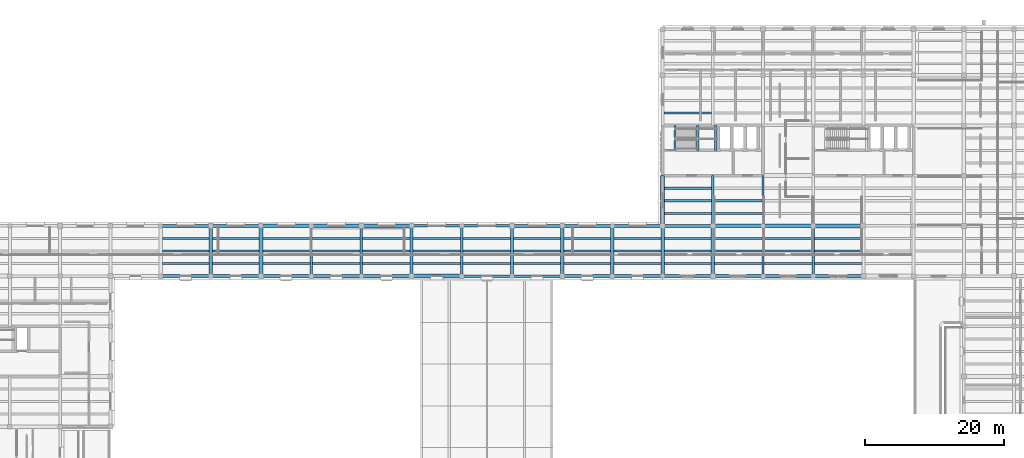
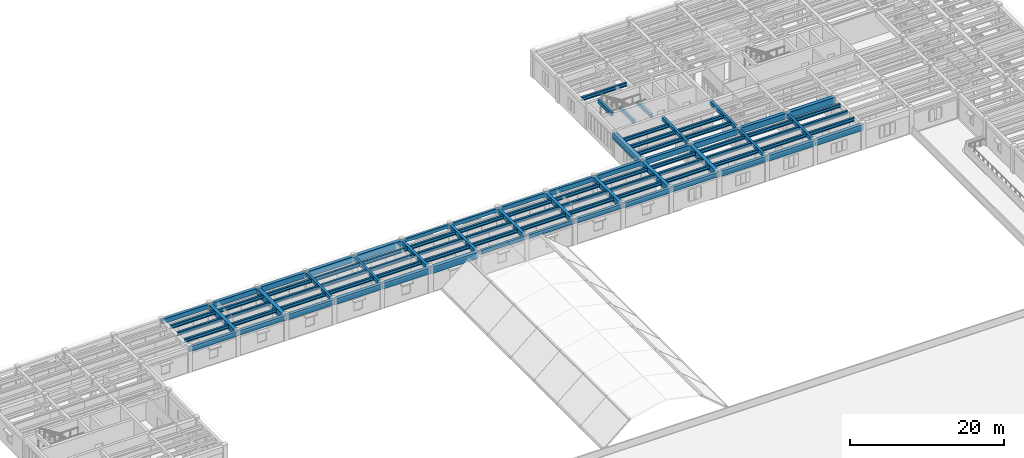
# One storey, part 4 of 40: 95 beams.
"""IFC4 building model written with IfcOpenShell, lengths in metres."""

from ifc_helpers import new_model, si_unit, direction, frame, origin, origin_2d, place, context, subcontext, project, spatial, rectangle, i_section, extrude, material, material_profile, profile_set, type_object, element, save


model = new_model("IFC4")

# Units and contexts
model_context = context("Model", 3, precision=1e-05, world=origin(), true_north=direction((0.0, 1.0)))
body_context = subcontext(model_context, "Body", "Model", "MODEL_VIEW")
ifc_project = project(units=[si_unit("LENGTHUNIT", "METRE"), si_unit("AREAUNIT", "SQUARE_METRE"), si_unit("VOLUMEUNIT", "CUBIC_METRE"), si_unit("PLANEANGLEUNIT", "RADIAN"), si_unit("MASSUNIT", "GRAM", prefix="KILO")], contexts=[model_context])

# Site, building, storey
site_placement = place(None, origin())
site = spatial("IfcSite", under=ifc_project, at=site_placement, CompositionType="ELEMENT")
building_placement = place(site_placement, origin())
building = spatial("IfcBuilding", under=site, at=building_placement, Name="Mithqara Police Headquarters", CompositionType="ELEMENT")
storey_placement = place(building_placement, frame((0.0, 0.0, 13.800048828125)))
storey = spatial("IfcBuildingStorey", under=building, at=storey_placement, Name="L03", CompositionType="ELEMENT", Elevation=13.800048828125)

# Beams
ifc_material_1 = material(Name="Steel S355JR", Category="steel")
ifc_material_profile_1 = material_profile(ifc_material_1, i_section(OverallWidth=0.300048828125, OverallDepth=0.550048828125, WebThickness=0.014892578125, FlangeThickness=0.029052734375, FilletRadius=0.027099609375, at=origin_2d()), Name="HEB 550")
ifc_profile_set_1 = profile_set([ifc_material_profile_1], Name="Steel S355JR")
beam_type_1 = type_object("IfcBeamType", Name="BEAM HEB550", PredefinedType="BEAM", material=ifc_profile_set_1)
for number, where, z_axis, x_axis, name in (
    (1, (36.85009765625, 80.39990234375, 3.6650390625), (1.0, 0.0, 0.0), (0.0, 1.0, 0.0), "L03 Composite Steel Joist 6-7/M.1"),
    (2, (36.85009765625, 82.199951171875, 3.6650390625), (1.0, 0.0, 0.0), (0.0, 1.0, 0.0), "L03 Composite Steel Joist 6-7/M.2"),
    (3, (36.85009765625, 84.0, 3.6650390625), (1.0, 0.0, 0.0), (0.0, 1.0, 0.0), "L03 Composite Steel Joist 6-7/M.3"),
):
    element("IfcBeam", number, at=place(storey_placement, frame(where, z_axis=z_axis, x_axis=x_axis)), inside=storey, type_object=beam_type_1, Name=name, PredefinedType="BEAM", context=body_context, shape_type="SweptSolid", body=[
        extrude(i_section(OverallWidth=0.300048828125, OverallDepth=0.550048828125, WebThickness=0.014892578125, FlangeThickness=0.029052734375, FilletRadius=0.027099609375, at=origin_2d()), origin(), (0.0, 0.0, 1.0), 6.699951171875),
    ])
for number, where, z_axis, x_axis, name in (
    (4, (44.050048828125, 80.39990234375, 3.6650390625), (1.0, 0.0, 0.0), (0.0, 1.0, 0.0), "L03 Composite Steel Joist 7-8/M.1"),
    (5, (44.050048828125, 82.199951171875, 3.6650390625), (1.0, 0.0, 0.0), (0.0, 1.0, 0.0), "L03 Composite Steel Joist 7-8/M.2"),
    (6, (44.050048828125, 84.0, 3.6650390625), (1.0, 0.0, 0.0), (0.0, 1.0, 0.0), "L03 Composite Steel Joist 7-8/M.3"),
):
    element("IfcBeam", number, at=place(storey_placement, frame(where, z_axis=z_axis, x_axis=x_axis)), inside=storey, type_object=beam_type_1, Name=name, PredefinedType="BEAM", context=body_context, shape_type="SweptSolid", body=[
        extrude(i_section(OverallWidth=0.300048828125, OverallDepth=0.550048828125, WebThickness=0.014892578125, FlangeThickness=0.029052734375, FilletRadius=0.027099609375, at=origin_2d()), origin(), (0.0, 0.0, 1.0), 6.675048828125),
    ])
for number, where, z_axis, x_axis, name in (
    (7, (51.27490234375, 80.39990234375, 3.6650390625), (1.0, 0.0, 0.0), (0.0, 1.0, 0.0), "L03 Composite Steel Joist 8-9/M.1"),
    (8, (51.27490234375, 82.199951171875, 3.6650390625), (1.0, 0.0, 0.0), (0.0, 1.0, 0.0), "L03 Composite Steel Joist 8-9/M.2"),
    (9, (51.27490234375, 84.0, 3.6650390625), (1.0, 0.0, 0.0), (0.0, 1.0, 0.0), "L03 Composite Steel Joist 8-9/M.3"),
):
    element("IfcBeam", number, at=place(storey_placement, frame(where, z_axis=z_axis, x_axis=x_axis)), inside=storey, type_object=beam_type_1, Name=name, PredefinedType="BEAM", context=body_context, shape_type="SweptSolid", body=[
        extrude(i_section(OverallWidth=0.300048828125, OverallDepth=0.550048828125, WebThickness=0.014892578125, FlangeThickness=0.029052734375, FilletRadius=0.027099609375, at=origin_2d()), origin(), (0.0, 0.0, 1.0), 6.75),
    ])
for number, where, z_axis, x_axis, name in (
    (10, (58.375, 80.39990234375, 3.6650390625), (1.0, 0.0, 0.0), (0.0, 1.0, 0.0), "L03 Composite Steel Joist 9-10/M.1"),
    (11, (58.375, 82.199951171875, 3.6650390625), (1.0, 0.0, 0.0), (0.0, 1.0, 0.0), "L03 Composite Steel Joist 9-10/M.2"),
    (12, (58.375, 84.0, 3.6650390625), (1.0, 0.0, 0.0), (0.0, 1.0, 0.0), "L03 Composite Steel Joist 9-10/M.3"),
):
    element("IfcBeam", number, at=place(storey_placement, frame(where, z_axis=z_axis, x_axis=x_axis)), inside=storey, type_object=beam_type_1, Name=name, PredefinedType="BEAM", context=body_context, shape_type="SweptSolid", body=[
        extrude(i_section(OverallWidth=0.300048828125, OverallDepth=0.550048828125, WebThickness=0.014892578125, FlangeThickness=0.029052734375, FilletRadius=0.027099609375, at=origin_2d()), origin(), (0.0, 0.0, 1.0), 6.85009765625),
    ])
for number, where, z_axis, x_axis, name in (
    (13, (65.574951171875, 80.39990234375, 3.6650390625), (1.0, 0.0, 0.0), (0.0, 1.0, 0.0), "L03 Composite Steel Joist 10-11/M.1"),
    (14, (65.574951171875, 82.199951171875, 3.6650390625), (1.0, 0.0, 0.0), (0.0, 1.0, 0.0), "L03 Composite Steel Joist 10-11/M.2"),
    (15, (65.574951171875, 84.0, 3.6650390625), (1.0, 0.0, 0.0), (0.0, 1.0, 0.0), "L03 Composite Steel Joist 10-11/M.3"),
):
    element("IfcBeam", number, at=place(storey_placement, frame(where, z_axis=z_axis, x_axis=x_axis)), inside=storey, type_object=beam_type_1, Name=name, PredefinedType="BEAM", context=body_context, shape_type="SweptSolid", body=[
        extrude(i_section(OverallWidth=0.300048828125, OverallDepth=0.550048828125, WebThickness=0.014892578125, FlangeThickness=0.029052734375, FilletRadius=0.027099609375, at=origin_2d()), origin(), (0.0, 0.0, 1.0), 6.824951171875),
    ])
for number, where, z_axis, x_axis, name in (
    (16, (72.800048828125, 80.39990234375, 3.6650390625), (1.0, 0.0, 0.0), (0.0, 1.0, 0.0), "L03 Composite Steel Joist 11-12/M.1"),
    (17, (72.800048828125, 82.199951171875, 3.6650390625), (1.0, 0.0, 0.0), (0.0, 1.0, 0.0), "L03 Composite Steel Joist 11-12/M.2"),
    (18, (72.800048828125, 84.0, 3.6650390625), (1.0, 0.0, 0.0), (0.0, 1.0, 0.0), "L03 Composite Steel Joist 11-12/M.3"),
):
    element("IfcBeam", number, at=place(storey_placement, frame(where, z_axis=z_axis, x_axis=x_axis)), inside=storey, type_object=beam_type_1, Name=name, PredefinedType="BEAM", context=body_context, shape_type="SweptSolid", body=[
        extrude(i_section(OverallWidth=0.300048828125, OverallDepth=0.550048828125, WebThickness=0.014892578125, FlangeThickness=0.029052734375, FilletRadius=0.027099609375, at=origin_2d()), origin(), (0.0, 0.0, 1.0), 6.800048828125),
    ])
for number, where, z_axis, x_axis, name in (
    (19, (80.0, 80.39990234375, 3.6650390625), (1.0, 0.0, 0.0), (0.0, 1.0, 0.0), "L03 Composite Steel Joist 12-13/M.1"),
    (20, (80.0, 82.199951171875, 3.6650390625), (1.0, 0.0, 0.0), (0.0, 1.0, 0.0), "L03 Composite Steel Joist 12-13/M.2"),
    (21, (80.0, 84.0, 3.6650390625), (1.0, 0.0, 0.0), (0.0, 1.0, 0.0), "L03 Composite Steel Joist 12-13/M.3"),
):
    element("IfcBeam", number, at=place(storey_placement, frame(where, z_axis=z_axis, x_axis=x_axis)), inside=storey, type_object=beam_type_1, Name=name, PredefinedType="BEAM", context=body_context, shape_type="SweptSolid", body=[
        extrude(i_section(OverallWidth=0.300048828125, OverallDepth=0.550048828125, WebThickness=0.014892578125, FlangeThickness=0.029052734375, FilletRadius=0.027099609375, at=origin_2d()), origin(), (0.0, 0.0, 1.0), 6.77490234375),
    ])
for number, where, z_axis, x_axis, name in (
    (22, (87.22509765625, 80.39990234375, 3.6650390625), (1.0, 0.0, 0.0), (0.0, 1.0, 0.0), "L03 Composite Steel Joist 13-14/M.1"),
    (23, (87.22509765625, 82.199951171875, 3.6650390625), (1.0, 0.0, 0.0), (0.0, 1.0, 0.0), "L03 Composite Steel Joist 13-14/M.2"),
    (24, (87.22509765625, 84.0, 3.6650390625), (1.0, 0.0, 0.0), (0.0, 1.0, 0.0), "L03 Composite Steel Joist 13-14/M.3"),
):
    element("IfcBeam", number, at=place(storey_placement, frame(where, z_axis=z_axis, x_axis=x_axis)), inside=storey, type_object=beam_type_1, Name=name, PredefinedType="BEAM", context=body_context, shape_type="SweptSolid", body=[
        extrude(i_section(OverallWidth=0.300048828125, OverallDepth=0.550048828125, WebThickness=0.014892578125, FlangeThickness=0.029052734375, FilletRadius=0.027099609375, at=origin_2d()), origin(), (0.0, 0.0, 1.0), 6.75),
    ])
for number, where, z_axis, x_axis, name in (
    (25, (94.425048828125, 80.39990234375, 3.6650390625), (1.0, 0.0, 0.0), (0.0, 1.0, 0.0), "L03 Composite Steel Joist 14-15/M.1"),
    (26, (94.425048828125, 82.199951171875, 3.6650390625), (1.0, 0.0, 0.0), (0.0, 1.0, 0.0), "L03 Composite Steel Joist 14-15/M.2"),
    (27, (94.425048828125, 84.0, 3.6650390625), (1.0, 0.0, 0.0), (0.0, 1.0, 0.0), "L03 Composite Steel Joist 14-15/M.3"),
):
    element("IfcBeam", number, at=place(storey_placement, frame(where, z_axis=z_axis, x_axis=x_axis)), inside=storey, type_object=beam_type_1, Name=name, PredefinedType="BEAM", context=body_context, shape_type="SweptSolid", body=[
        extrude(i_section(OverallWidth=0.300048828125, OverallDepth=0.550048828125, WebThickness=0.014892578125, FlangeThickness=0.029052734375, FilletRadius=0.027099609375, at=origin_2d()), origin(), (0.0, 0.0, 1.0), 6.724853515625),
    ])
for number, where, z_axis, x_axis, name in (
    (28, (101.64990234375, 80.39990234375, 3.6650390625), (1.0, 0.0, 0.0), (0.0, 1.0, 0.0), "L03 Composite Steel Joist 15-16/M.1"),
    (29, (101.64990234375, 82.199951171875, 3.6650390625), (1.0, 0.0, 0.0), (0.0, 1.0, 0.0), "L03 Composite Steel Joist 15-16/M.2"),
    (30, (101.64990234375, 84.0, 3.6650390625), (1.0, 0.0, 0.0), (0.0, 1.0, 0.0), "L03 Composite Steel Joist 15-16/M.3"),
):
    element("IfcBeam", number, at=place(storey_placement, frame(where, z_axis=z_axis, x_axis=x_axis)), inside=storey, type_object=beam_type_1, Name=name, PredefinedType="BEAM", context=body_context, shape_type="SweptSolid", body=[
        extrude(i_section(OverallWidth=0.300048828125, OverallDepth=0.550048828125, WebThickness=0.014892578125, FlangeThickness=0.029052734375, FilletRadius=0.027099609375, at=origin_2d()), origin(), (0.0, 0.0, 1.0), 6.7001953125),
    ])
for number, where, z_axis, x_axis, name in (
    (31, (108.85009765625, 80.39990234375, 3.6650390625), (1.0, 0.0, 0.0), (0.0, 1.0, 0.0), "L03 Composite Steel Joist 16-17/M.1"),
    (32, (108.85009765625, 82.199951171875, 3.6650390625), (1.0, 0.0, 0.0), (0.0, 1.0, 0.0), "L03 Composite Steel Joist 16-17/M.2"),
    (33, (108.85009765625, 84.0, 3.6650390625), (1.0, 0.0, 0.0), (0.0, 1.0, 0.0), "L03 Composite Steel Joist 16-17/M.3"),
):
    element("IfcBeam", number, at=place(storey_placement, frame(where, z_axis=z_axis, x_axis=x_axis)), inside=storey, type_object=beam_type_1, Name=name, PredefinedType="BEAM", context=body_context, shape_type="SweptSolid", body=[
        extrude(i_section(OverallWidth=0.300048828125, OverallDepth=0.550048828125, WebThickness=0.014892578125, FlangeThickness=0.029052734375, FilletRadius=0.027099609375, at=origin_2d()), origin(), (0.0, 0.0, 1.0), 6.6748046875),
    ])
for number, where, z_axis, x_axis, name in (
    (34, (108.875, 87.60009765625, 3.6650390625), (1.0, 0.0, 0.0), (0.0, 1.0, 0.0), "L03 Composite Steel Joist 16-17/N.1"),
    (35, (108.875, 89.39990234375, 3.6650390625), (1.0, 0.0, 0.0), (0.0, 1.0, 0.0), "L03 Composite Steel Joist 16-17/N.2"),
    (36, (108.875, 91.199951171875, 3.6650390625), (1.0, 0.0, 0.0), (0.0, 1.0, 0.0), "L03 Composite Steel Joist 16-17/N.3"),
):
    element("IfcBeam", number, at=place(storey_placement, frame(where, z_axis=z_axis, x_axis=x_axis)), inside=storey, type_object=beam_type_1, Name=name, PredefinedType="BEAM", context=body_context, shape_type="SweptSolid", body=[
        extrude(i_section(OverallWidth=0.300048828125, OverallDepth=0.550048828125, WebThickness=0.014892578125, FlangeThickness=0.029052734375, FilletRadius=0.027099609375, at=origin_2d()), origin(), (0.0, 0.0, 1.0), 6.75),
    ])
beam_1_placement = place(storey_placement, frame((108.77490234375, 102.0, 3.6650390625), z_axis=(1.0, 0.0, 0.0), x_axis=(0.0, 1.0, 0.0)))
element("IfcBeam", 37, at=beam_1_placement, inside=storey, type_object=beam_type_1, Name="L03 Composite Steel Joist 16-17/Q.1", PredefinedType="BEAM", context=body_context, shape_type="SweptSolid", body=[
    extrude(i_section(OverallWidth=0.300048828125, OverallDepth=0.550048828125, WebThickness=0.014892578125, FlangeThickness=0.029052734375, FilletRadius=0.027099609375, at=origin_2d()), origin(), (0.0, 0.0, 1.0), 6.8251953125),
])
for number, where, z_axis, x_axis, name in (
    (38, (116.074951171875, 80.39990234375, 3.6650390625), (1.0, 0.0, 0.0), (0.0, 1.0, 0.0), "L03 Composite Steel Joist 17-18/M.1"),
    (39, (116.074951171875, 82.199951171875, 3.6650390625), (1.0, 0.0, 0.0), (0.0, 1.0, 0.0), "L03 Composite Steel Joist 17-18/M.2"),
    (40, (116.074951171875, 84.0, 3.6650390625), (1.0, 0.0, 0.0), (0.0, 1.0, 0.0), "L03 Composite Steel Joist 17-18/M.3"),
):
    element("IfcBeam", number, at=place(storey_placement, frame(where, z_axis=z_axis, x_axis=x_axis)), inside=storey, type_object=beam_type_1, Name=name, PredefinedType="BEAM", context=body_context, shape_type="SweptSolid", body=[
        extrude(i_section(OverallWidth=0.300048828125, OverallDepth=0.550048828125, WebThickness=0.014892578125, FlangeThickness=0.029052734375, FilletRadius=0.027099609375, at=origin_2d()), origin(), (0.0, 0.0, 1.0), 6.75),
    ])
for number, where, z_axis, x_axis, name in (
    (41, (115.97509765625, 87.60009765625, 3.6650390625), (1.0, 0.0, 0.0), (0.0, 1.0, 0.0), "L03 Composite Steel Joist 17-18/N.1"),
    (42, (115.97509765625, 89.39990234375, 3.6650390625), (1.0, 0.0, 0.0), (0.0, 1.0, 0.0), "L03 Composite Steel Joist 17-18/N.2"),
    (43, (123.175048828125, 80.39990234375, 3.6650390625), (1.0, 0.0, 0.0), (0.0, 1.0, 0.0), "L03 Composite Steel Joist 18-19/M.1"),
    (44, (123.175048828125, 82.199951171875, 3.6650390625), (1.0, 0.0, 0.0), (0.0, 1.0, 0.0), "L03 Composite Steel Joist 18-19/M.2"),
    (45, (123.175048828125, 84.0, 3.6650390625), (1.0, 0.0, 0.0), (0.0, 1.0, 0.0), "L03 Composite Steel Joist 18-19/M.3"),
):
    element("IfcBeam", number, at=place(storey_placement, frame(where, z_axis=z_axis, x_axis=x_axis)), inside=storey, type_object=beam_type_1, Name=name, PredefinedType="BEAM", context=body_context, shape_type="SweptSolid", body=[
        extrude(i_section(OverallWidth=0.300048828125, OverallDepth=0.550048828125, WebThickness=0.014892578125, FlangeThickness=0.029052734375, FilletRadius=0.027099609375, at=origin_2d()), origin(), (0.0, 0.0, 1.0), 6.849853515625),
    ])
for number, where, z_axis, x_axis, name in (
    (46, (130.375, 80.39990234375, 3.6650390625), (1.0, 0.0, 0.0), (0.0, 1.0, 0.0), "L03 Composite Steel Joist 19-20/M.1"),
    (47, (130.375, 82.199951171875, 3.6650390625), (1.0, 0.0, 0.0), (0.0, 1.0, 0.0), "L03 Composite Steel Joist 19-20/M.2"),
    (48, (130.375, 84.0, 3.6650390625), (1.0, 0.0, 0.0), (0.0, 1.0, 0.0), "L03 Composite Steel Joist 19-20/M.3"),
):
    element("IfcBeam", number, at=place(storey_placement, frame(where, z_axis=z_axis, x_axis=x_axis)), inside=storey, type_object=beam_type_1, Name=name, PredefinedType="BEAM", context=body_context, shape_type="SweptSolid", body=[
        extrude(i_section(OverallWidth=0.300048828125, OverallDepth=0.550048828125, WebThickness=0.014892578125, FlangeThickness=0.029052734375, FilletRadius=0.027099609375, at=origin_2d()), origin(), (0.0, 0.0, 1.0), 6.824951171875),
    ])
ifc_material_2 = material(Name="Concrete C40/50", Category="concrete")
ifc_material_profile_2 = material_profile(ifc_material_2, rectangle(XDim=0.35009765625, YDim=0.550048828125, at=origin_2d()), Name="RC 350x550")
ifc_profile_set_2 = profile_set([ifc_material_profile_2], Name="Concrete C40/50")
beam_type_2 = type_object("IfcBeamType", Name="BEAM RC350X550", PredefinedType="BEAM", material=ifc_profile_set_2)
for number, where, z_axis, x_axis, name in (
    (49, (58.199951171875, 78.60009765625, 3.6650390625), (0.0, 1.0, 0.0), (-1.0, 0.0, 0.0), "L03 Girder 9/M-N"),
    (50, (72.60009765625, 85.800048828125, 3.6650390625), (1.0, 0.0, 0.0), (0.0, 1.0, 0.0), "L03 Girder 11-12/N"),
    (51, (79.800048828125, 78.60009765625, 3.6650390625), (1.0, 0.0, 0.0), (0.0, 1.0, 0.0), "L03 Girder 12-13/M"),
    (52, (115.800048828125, 85.800048828125, 3.6650390625), (0.0, 1.0, 0.0), (-1.0, 0.0, 0.0), "L03 Girder 17/N-P"),
    (53, (123.0, 78.60009765625, 3.6650390625), (0.0, 1.0, 0.0), (-1.0, 0.0, 0.0), "L03 Girder 18/M-N"),
):
    element("IfcBeam", number, at=place(storey_placement, frame(where, z_axis=z_axis, x_axis=x_axis)), inside=storey, type_object=beam_type_2, Name=name, PredefinedType="BEAM", context=body_context, shape_type="SweptSolid", body=[
        extrude(rectangle(XDim=0.35009765625, YDim=0.550048828125, at=origin_2d()), origin(), (0.0, 0.0, 1.0), 7.199951171875),
    ])
for number, where, z_axis, x_axis, name in (
    (54, (113.6298828125, 96.6201171875, 1.635009765625), (0.0, 1.0, 0.0), (-1.0, 0.0, 0.0), "L03 ST-01 Half-Landing Bearer LF"),
    (55, (116.25, 96.6201171875, 1.635009765625), (0.0, 1.0, 0.0), (-1.0, 0.0, 0.0), "L03 ST-01 Half-Landing Bearer LB"),
    (56, (110.376953125, 96.6201171875, 3.925048828125), (0.0, 1.0, 0.0), (-1.0, 0.0, 0.0), "L03 ST-01 Stairwell Trimmer Beam"),
):
    element("IfcBeam", number, at=place(storey_placement, frame(where, z_axis=z_axis, x_axis=x_axis)), inside=storey, type_object=beam_type_2, Name=name, PredefinedType="BEAM", context=body_context, shape_type="SweptSolid", body=[
        extrude(rectangle(XDim=0.35009765625, YDim=0.550048828125, at=origin_2d()), origin(), (0.0, 0.0, 1.0), 3.579833984375),
    ])
ifc_material_profile_3 = material_profile(ifc_material_2, rectangle(XDim=0.35009765625, YDim=0.60009765625, at=origin_2d()), Name="RC 350x600")
ifc_profile_set_3 = profile_set([ifc_material_profile_3], Name="Concrete C40/50")
beam_type_3 = type_object("IfcBeamType", Name="BEAM RC350X600", PredefinedType="BEAM", material=ifc_profile_set_3)
for number, where, z_axis, x_axis, name in (
    (57, (65.39990234375, 78.60009765625, 3.639892578125), (0.0, 1.0, 0.0), (-1.0, 0.0, 0.0), "L03 Girder 10/M-N"),
    (58, (79.800048828125, 85.800048828125, 3.639892578125), (1.0, 0.0, 0.0), (0.0, 1.0, 0.0), "L03 Girder 12-13/N"),
    (59, (87.0, 78.60009765625, 3.639892578125), (1.0, 0.0, 0.0), (0.0, 1.0, 0.0), "L03 Girder 13-14/M"),
    (60, (123.0, 85.800048828125, 3.639892578125), (0.0, 1.0, 0.0), (-1.0, 0.0, 0.0), "L03 Girder 18/N-P"),
    (61, (130.199951171875, 78.60009765625, 3.639892578125), (0.0, 1.0, 0.0), (-1.0, 0.0, 0.0), "L03 Girder 19/M-N"),
):
    element("IfcBeam", number, at=place(storey_placement, frame(where, z_axis=z_axis, x_axis=x_axis)), inside=storey, type_object=beam_type_3, Name=name, PredefinedType="BEAM", context=body_context, shape_type="SweptSolid", body=[
        extrude(rectangle(XDim=0.35009765625, YDim=0.60009765625, at=origin_2d()), origin(), (0.0, 0.0, 1.0), 7.199951171875),
    ])
ifc_material_profile_4 = material_profile(ifc_material_2, rectangle(XDim=0.39990234375, YDim=0.64990234375, at=origin_2d()), Name="RC 400x650")
ifc_profile_set_4 = profile_set([ifc_material_profile_4], Name="Concrete C40/50")
beam_type_4 = type_object("IfcBeamType", Name="BEAM RC400X650", PredefinedType="BEAM", material=ifc_profile_set_4)
for number, where, z_axis, x_axis, name in (
    (62, (72.60009765625, 78.60009765625, 3.614990234375), (0.0, 1.0, 0.0), (-1.0, 0.0, 0.0), "L03 Girder 11/M-N"),
    (63, (87.0, 85.800048828125, 3.614990234375), (1.0, 0.0, 0.0), (0.0, 1.0, 0.0), "L03 Girder 13-14/N"),
    (64, (94.199951171875, 78.60009765625, 3.614990234375), (1.0, 0.0, 0.0), (0.0, 1.0, 0.0), "L03 Girder 14-15/M"),
):
    element("IfcBeam", number, at=place(storey_placement, frame(where, z_axis=z_axis, x_axis=x_axis)), inside=storey, type_object=beam_type_4, Name=name, PredefinedType="BEAM", context=body_context, shape_type="SweptSolid", body=[
        extrude(rectangle(XDim=0.39990234375, YDim=0.64990234375, at=origin_2d()), origin(), (0.0, 0.0, 1.0), 7.199951171875),
    ])
ifc_material_profile_5 = material_profile(ifc_material_2, rectangle(XDim=0.39990234375, YDim=0.75, at=origin_2d()), Name="RC 400x750")
ifc_profile_set_5 = profile_set([ifc_material_profile_5], Name="Concrete C40/50")
beam_type_5 = type_object("IfcBeamType", Name="BEAM RC400X750", PredefinedType="BEAM", material=ifc_profile_set_5)
for number, where, z_axis, x_axis, name in (
    (65, (36.60009765625, 78.60009765625, 3.56494140625), (1.0, 0.0, 0.0), (0.0, 1.0, 0.0), "L03 Girder 6-7/M"),
    (66, (79.800048828125, 78.60009765625, 3.56494140625), (0.0, 1.0, 0.0), (-1.0, 0.0, 0.0), "L03 Girder 12/M-N"),
    (67, (94.199951171875, 85.800048828125, 3.56494140625), (1.0, 0.0, 0.0), (0.0, 1.0, 0.0), "L03 Girder 14-15/N"),
):
    element("IfcBeam", number, at=place(storey_placement, frame(where, z_axis=z_axis, x_axis=x_axis)), inside=storey, type_object=beam_type_5, Name=name, PredefinedType="BEAM", context=body_context, shape_type="SweptSolid", body=[
        extrude(rectangle(XDim=0.39990234375, YDim=0.75, at=origin_2d()), origin(), (0.0, 0.0, 1.0), 7.199951171875),
    ])
beam_2_placement = place(storey_placement, frame((101.39990234375, 78.60009765625, 3.56494140625), z_axis=(1.0, 0.0, 0.0), x_axis=(0.0, 1.0, 0.0)))
element("IfcBeam", 68, at=beam_2_placement, inside=storey, type_object=beam_type_5, Name="L03 Girder 15-16/M", PredefinedType="BEAM", context=body_context, shape_type="SweptSolid", body=[
    extrude(rectangle(XDim=0.39990234375, YDim=0.75, at=origin_2d()), origin(), (0.0, 0.0, 1.0), 7.2001953125),
])
ifc_material_profile_6 = material_profile(ifc_material_2, rectangle(XDim=0.449951171875, YDim=0.699951171875, at=origin_2d()), Name="RC 450x700")
ifc_profile_set_6 = profile_set([ifc_material_profile_6], Name="Concrete C40/50")
beam_type_6 = type_object("IfcBeamType", Name="BEAM RC450X700", PredefinedType="BEAM", material=ifc_profile_set_6)
for number, where, z_axis, x_axis, name in (
    (69, (36.60009765625, 85.800048828125, 3.58984375), (1.0, 0.0, 0.0), (0.0, 1.0, 0.0), "L03 Girder 6-7/N"),
    (70, (43.800048828125, 78.60009765625, 3.58984375), (1.0, 0.0, 0.0), (0.0, 1.0, 0.0), "L03 Girder 7-8/M"),
    (71, (87.0, 78.60009765625, 3.58984375), (0.0, 1.0, 0.0), (-1.0, 0.0, 0.0), "L03 Girder 13/M-N"),
):
    element("IfcBeam", number, at=place(storey_placement, frame(where, z_axis=z_axis, x_axis=x_axis)), inside=storey, type_object=beam_type_6, Name=name, PredefinedType="BEAM", context=body_context, shape_type="SweptSolid", body=[
        extrude(rectangle(XDim=0.449951171875, YDim=0.699951171875, at=origin_2d()), origin(), (0.0, 0.0, 1.0), 7.199951171875),
    ])
beam_3_placement = place(storey_placement, frame((101.39990234375, 85.800048828125, 3.58984375), z_axis=(1.0, 0.0, 0.0), x_axis=(0.0, 1.0, 0.0)))
element("IfcBeam", 72, at=beam_3_placement, inside=storey, type_object=beam_type_6, Name="L03 Girder 15-16/N", PredefinedType="BEAM", context=body_context, shape_type="SweptSolid", body=[
    extrude(rectangle(XDim=0.449951171875, YDim=0.699951171875, at=origin_2d()), origin(), (0.0, 0.0, 1.0), 7.2001953125),
])
beam_4_placement = place(storey_placement, frame((108.60009765625, 78.60009765625, 3.58984375), z_axis=(1.0, 0.0, 0.0), x_axis=(0.0, 1.0, 0.0)))
element("IfcBeam", 73, at=beam_4_placement, inside=storey, type_object=beam_type_6, Name="L03 Girder 16-17/M", PredefinedType="BEAM", context=body_context, shape_type="SweptSolid", body=[
    extrude(rectangle(XDim=0.449951171875, YDim=0.699951171875, at=origin_2d()), origin(), (0.0, 0.0, 1.0), 7.199951171875),
])
ifc_material_profile_7 = material_profile(ifc_material_2, rectangle(XDim=0.449951171875, YDim=0.800048828125, at=origin_2d()), Name="RC 450x800")
ifc_profile_set_7 = profile_set([ifc_material_profile_7], Name="Concrete C40/50")
beam_type_7 = type_object("IfcBeamType", Name="BEAM RC450X800", PredefinedType="BEAM", material=ifc_profile_set_7)
for number, where, z_axis, x_axis, name in (
    (74, (43.800048828125, 85.800048828125, 3.5400390625), (1.0, 0.0, 0.0), (0.0, 1.0, 0.0), "L03 Girder 7-8/N"),
    (75, (51.0, 78.60009765625, 3.5400390625), (1.0, 0.0, 0.0), (0.0, 1.0, 0.0), "L03 Girder 8-9/M"),
    (76, (94.199951171875, 78.60009765625, 3.5400390625), (0.0, 1.0, 0.0), (-1.0, 0.0, 0.0), "L03 Girder 14/M-N"),
    (77, (108.60009765625, 85.800048828125, 3.5400390625), (1.0, 0.0, 0.0), (0.0, 1.0, 0.0), "L03 Girder 16-17/N"),
    (78, (115.800048828125, 78.60009765625, 3.5400390625), (1.0, 0.0, 0.0), (0.0, 1.0, 0.0), "L03 Girder 17-18/M"),
):
    element("IfcBeam", number, at=place(storey_placement, frame(where, z_axis=z_axis, x_axis=x_axis)), inside=storey, type_object=beam_type_7, Name=name, PredefinedType="BEAM", context=body_context, shape_type="SweptSolid", body=[
        extrude(rectangle(XDim=0.449951171875, YDim=0.800048828125, at=origin_2d()), origin(), (0.0, 0.0, 1.0), 7.199951171875),
    ])
ifc_material_profile_8 = material_profile(ifc_material_2, rectangle(XDim=0.5, YDim=0.85009765625, at=origin_2d()), Name="RC 500x850")
ifc_profile_set_8 = profile_set([ifc_material_profile_8], Name="Concrete C40/50")
beam_type_8 = type_object("IfcBeamType", Name="BEAM RC500X850", PredefinedType="BEAM", material=ifc_profile_set_8)
for number, where, z_axis, x_axis, name in (
    (79, (51.0, 85.800048828125, 3.514892578125), (1.0, 0.0, 0.0), (0.0, 1.0, 0.0), "L03 Girder 8-9/N"),
    (80, (58.199951171875, 78.60009765625, 3.514892578125), (1.0, 0.0, 0.0), (0.0, 1.0, 0.0), "L03 Girder 9-10/M"),
    (81, (101.39990234375, 78.60009765625, 3.514892578125), (0.0, 1.0, 0.0), (-1.0, 0.0, 0.0), "L03 Girder 15/M-N"),
    (82, (115.800048828125, 85.800048828125, 3.514892578125), (1.0, 0.0, 0.0), (0.0, 1.0, 0.0), "L03 Girder 17-18/N"),
    (83, (123.0, 78.60009765625, 3.514892578125), (1.0, 0.0, 0.0), (0.0, 1.0, 0.0), "L03 Girder 18-19/M"),
):
    element("IfcBeam", number, at=place(storey_placement, frame(where, z_axis=z_axis, x_axis=x_axis)), inside=storey, type_object=beam_type_8, Name=name, PredefinedType="BEAM", context=body_context, shape_type="SweptSolid", body=[
        extrude(rectangle(XDim=0.5, YDim=0.85009765625, at=origin_2d()), origin(), (0.0, 0.0, 1.0), 7.199951171875),
    ])
ifc_material_3 = material(Name="Concrete C50/60", Category="concrete")
ifc_material_profile_9 = material_profile(ifc_material_3, rectangle(XDim=0.5, YDim=0.89990234375, at=origin_2d()), Name="RC 500x900")
ifc_profile_set_9 = profile_set([ifc_material_profile_9], Name="Concrete C50/60")
beam_type_9 = type_object("IfcBeamType", Name="BEAM RC500X900", PredefinedType="BEAM", material=ifc_profile_set_9)
for number, where, z_axis, x_axis, name in (
    (84, (43.800048828125, 78.60009765625, 3.489990234375), (0.0, 1.0, 0.0), (-1.0, 0.0, 0.0), "L03 Girder 7/M-N"),
    (85, (58.199951171875, 85.800048828125, 3.489990234375), (1.0, 0.0, 0.0), (0.0, 1.0, 0.0), "L03 Girder 9-10/N"),
):
    element("IfcBeam", number, at=place(storey_placement, frame(where, z_axis=z_axis, x_axis=x_axis)), inside=storey, type_object=beam_type_9, Name=name, PredefinedType="BEAM", context=body_context, shape_type="SweptSolid", body=[
        extrude(rectangle(XDim=0.5, YDim=0.89990234375, at=origin_2d()), origin(), (0.0, 0.0, 1.0), 7.199951171875),
    ])
beam_5_placement = place(storey_placement, frame((65.39990234375, 78.60009765625, 3.489990234375), z_axis=(1.0, 0.0, 0.0), x_axis=(0.0, 1.0, 0.0)))
element("IfcBeam", 86, at=beam_5_placement, inside=storey, type_object=beam_type_9, Name="L03 Girder 10-11/M", PredefinedType="BEAM", context=body_context, shape_type="SweptSolid", body=[
    extrude(rectangle(XDim=0.5, YDim=0.89990234375, at=origin_2d()), origin(), (0.0, 0.0, 1.0), 7.2001953125),
])
for number, where, z_axis, x_axis, name in (
    (87, (108.60009765625, 78.60009765625, 3.489990234375), (0.0, 1.0, 0.0), (-1.0, 0.0, 0.0), "L03 Girder 16/M-N"),
    (88, (123.0, 85.800048828125, 3.489990234375), (1.0, 0.0, 0.0), (0.0, 1.0, 0.0), "L03 Girder 18-19/N"),
    (89, (130.199951171875, 78.60009765625, 3.489990234375), (1.0, 0.0, 0.0), (0.0, 1.0, 0.0), "L03 Girder 19-20/M"),
):
    element("IfcBeam", number, at=place(storey_placement, frame(where, z_axis=z_axis, x_axis=x_axis)), inside=storey, type_object=beam_type_9, Name=name, PredefinedType="BEAM", context=body_context, shape_type="SweptSolid", body=[
        extrude(rectangle(XDim=0.5, YDim=0.89990234375, at=origin_2d()), origin(), (0.0, 0.0, 1.0), 7.199951171875),
    ])
ifc_material_profile_10 = material_profile(ifc_material_3, rectangle(XDim=0.550048828125, YDim=1.0, at=origin_2d()), Name="RC 550x1000")
ifc_profile_set_10 = profile_set([ifc_material_profile_10], Name="Concrete C50/60")
beam_type_10 = type_object("IfcBeamType", Name="BEAM RC550X1000", PredefinedType="BEAM", material=ifc_profile_set_10)
beam_6_placement = place(storey_placement, frame((51.0, 78.60009765625, 3.43994140625), z_axis=(0.0, 1.0, 0.0), x_axis=(-1.0, 0.0, 0.0)))
element("IfcBeam", 90, at=beam_6_placement, inside=storey, type_object=beam_type_10, Name="L03 Girder 8/M-N", PredefinedType="BEAM", context=body_context, shape_type="SweptSolid", body=[
    extrude(rectangle(XDim=0.550048828125, YDim=1.0, at=origin_2d()), origin(), (0.0, 0.0, 1.0), 7.199951171875),
])
beam_7_placement = place(storey_placement, frame((65.39990234375, 85.800048828125, 3.43994140625), z_axis=(1.0, 0.0, 0.0), x_axis=(0.0, 1.0, 0.0)))
element("IfcBeam", 91, at=beam_7_placement, inside=storey, type_object=beam_type_10, Name="L03 Girder 10-11/N", PredefinedType="BEAM", context=body_context, shape_type="SweptSolid", body=[
    extrude(rectangle(XDim=0.550048828125, YDim=1.0, at=origin_2d()), origin(), (0.0, 0.0, 1.0), 7.2001953125),
])
for number, where, z_axis, x_axis, name in (
    (92, (72.60009765625, 78.60009765625, 3.43994140625), (1.0, 0.0, 0.0), (0.0, 1.0, 0.0), "L03 Girder 11-12/M"),
    (93, (108.60009765625, 85.800048828125, 3.43994140625), (0.0, 1.0, 0.0), (-1.0, 0.0, 0.0), "L03 Girder 16/N-P"),
    (94, (115.800048828125, 78.60009765625, 3.43994140625), (0.0, 1.0, 0.0), (-1.0, 0.0, 0.0), "L03 Girder 17/M-N"),
    (95, (130.199951171875, 85.800048828125, 3.43994140625), (1.0, 0.0, 0.0), (0.0, 1.0, 0.0), "L03 Girder 19-20/N"),
):
    element("IfcBeam", number, at=place(storey_placement, frame(where, z_axis=z_axis, x_axis=x_axis)), inside=storey, type_object=beam_type_10, Name=name, PredefinedType="BEAM", context=body_context, shape_type="SweptSolid", body=[
        extrude(rectangle(XDim=0.550048828125, YDim=1.0, at=origin_2d()), origin(), (0.0, 0.0, 1.0), 7.199951171875),
    ])

save(model, "model.ifc")
